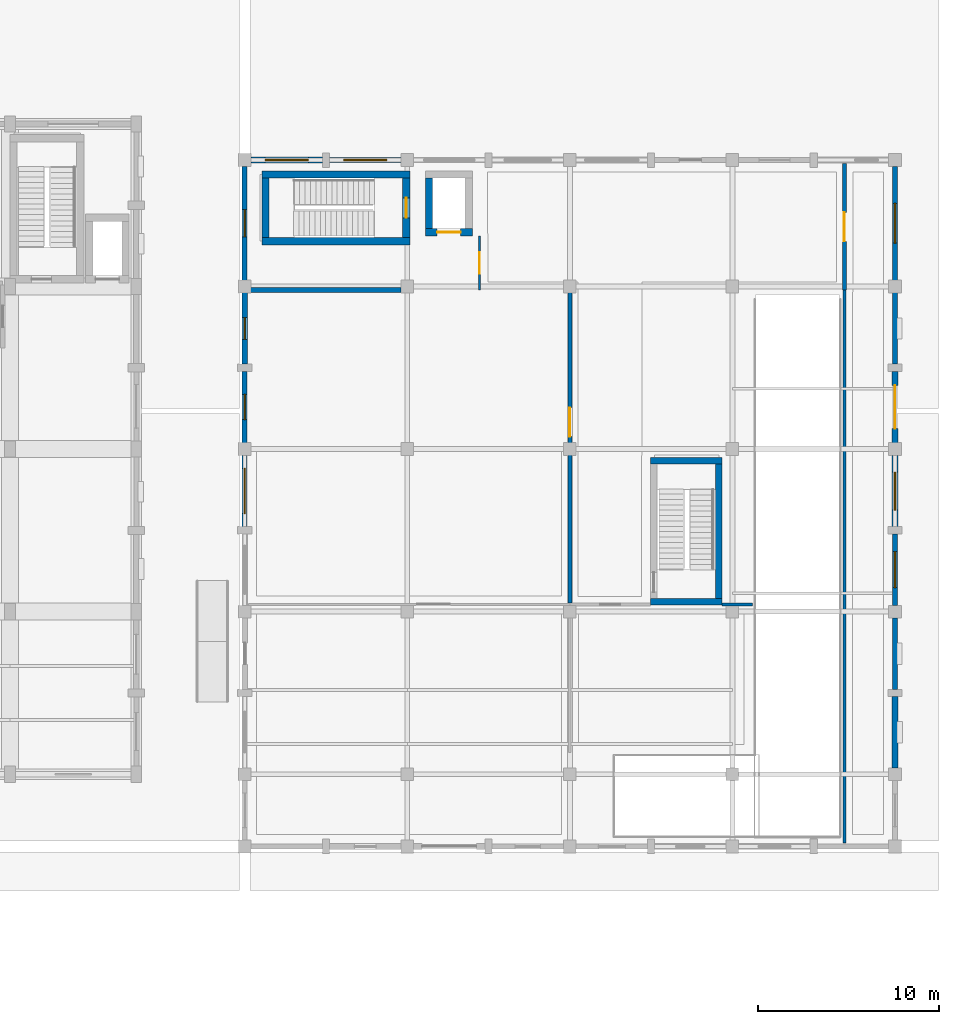
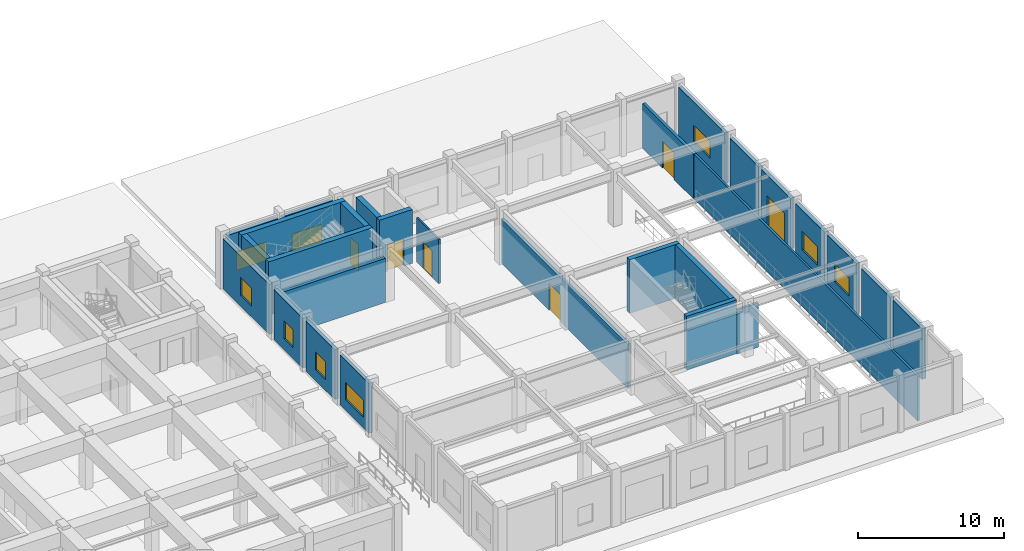
# One storey, part 39 of 47: 28 walls, 9 windows, 6 doors, 15 openings.
"""IFC4 building model written with IfcOpenShell, lengths in metres."""

import ifcopenshell
import ifcopenshell.guid

model = None  # the IFC model being written
_history = None  # IfcOwnerHistory: only IFC2X3 demands one
_inside = {}  # id of a spatial element -> (the spatial element, [elements in it])
_under = {}  # id of a project, library or spatial element -> (it, [spatial elements below it])
_declared = {}  # id of a project -> (the project, [libraries it declares])
_typed = {}  # id of a type object -> (the type object, [elements of that type])
_made_of = {}  # id of a material, layer set ... -> (it, [elements and type objects made of it])


def new_model(schema):
    """Start an empty IFC model of exactly this schema.

    Asked for "IFC4X3", IfcOpenShell would pick the latest addendum, in which some entities
    have other attributes; the version numbers below select the first issue.
    IFC2X3 requires an IfcOwnerHistory on every rooted entity: one is made here for all.
    """
    global model, _history
    if schema == "IFC4X3":
        model = ifcopenshell.file(schema_version=(4, 3, 0, 0))
    else:
        model = ifcopenshell.file(schema=schema)
    _inside.clear()
    _under.clear()
    _declared.clear()
    _typed.clear()
    _made_of.clear()
    _history = None
    if model.schema == "IFC2X3":
        org = make("IfcOrganization", Name="unknown")
        user = make(
            "IfcPersonAndOrganization",
            ThePerson=make("IfcPerson", FamilyName="unknown"),
            TheOrganization=org,
        )
        app = make(
            "IfcApplication",
            ApplicationDeveloper=org,
            Version="unknown",
            ApplicationFullName="unknown",
            ApplicationIdentifier="unknown",
        )
        _history = make(
            "IfcOwnerHistory",
            OwningUser=user,
            OwningApplication=app,
            ChangeAction="ADDED",
            CreationDate=0,
        )
    return model


def make(cls, **values):
    """One entity of the class cls with the attributes given. An attribute that is None is left unset."""
    return model.create_entity(
        cls, **{name: value for name, value in values.items() if value is not None}
    )


def rooted(cls, **values):
    """An entity with a GlobalId (a new one), such as an element, a storey or a relation."""
    return make(cls, GlobalId=ifcopenshell.guid.new(), OwnerHistory=_history, **values)


def si_unit(unit_type, name, prefix=None):
    """IfcSIUnit, for example si_unit("LENGTHUNIT", "METRE", prefix="MILLI")."""
    return make("IfcSIUnit", UnitType=unit_type, Prefix=prefix, Name=name)


def assignment(units):
    """IfcUnitAssignment: the units of a project."""
    return None if units is None else make("IfcUnitAssignment", Units=units)


def point(xyz):
    """IfcCartesianPoint."""
    return None if xyz is None else make("IfcCartesianPoint", Coordinates=xyz)


def direction(xyz):
    """IfcDirection."""
    return None if xyz is None else make("IfcDirection", DirectionRatios=xyz)


def frame(location, z_axis=None, x_axis=None):
    """IfcAxis2Placement3D, a coordinate frame: its origin and axes. An axis left out is left unset."""
    return make(
        "IfcAxis2Placement3D",
        Location=point(location),
        Axis=direction(z_axis),
        RefDirection=direction(x_axis),
    )


def frame_2d(location, x_axis=None):
    """IfcAxis2Placement2D, a coordinate frame in the plane: its origin and x axis."""
    return make(
        "IfcAxis2Placement2D", Location=point(location), RefDirection=direction(x_axis)
    )


def origin():
    """The frame at (0, 0, 0) with its axes left unset."""
    return frame((0.0, 0.0, 0.0))


def place(relative_to, where):
    """IfcLocalPlacement: puts the frame where relative to a parent placement (None: the world)."""
    return make(
        "IfcLocalPlacement", PlacementRelTo=relative_to, RelativePlacement=where
    )


def context(
    kind, dimensions, precision=None, world=None, true_north=None, identifier=None
):
    """IfcGeometricRepresentationContext, for example the 3D "Model" context."""
    return make(
        "IfcGeometricRepresentationContext",
        ContextIdentifier=identifier,
        ContextType=kind,
        CoordinateSpaceDimension=dimensions,
        Precision=precision,
        WorldCoordinateSystem=world,
        TrueNorth=true_north,
    )


def subcontext(parent, identifier, kind, view, scale=None):
    """IfcGeometricRepresentationSubContext, for example "Body" below "Model"."""
    return make(
        "IfcGeometricRepresentationSubContext",
        ContextIdentifier=identifier,
        ContextType=kind,
        ParentContext=parent,
        TargetScale=scale,
        TargetView=view,
    )


def project(units=None, contexts=None):
    """IfcProject with its units and contexts."""
    return rooted(
        "IfcProject",
        Name="project",
        RepresentationContexts=contexts,
        UnitsInContext=assignment(units),
    )


def spatial(cls, under=None, at=None, **own):
    """A site, building, storey or space (cls), placed at a placement, below another one or the project."""
    s = rooted(cls, ObjectPlacement=at, **own)
    if under is not None:
        _under.setdefault(under.id(), (under, []))[1].append(s)
    return s


def profile(cls, at=None, kind="AREA", **sizes):
    """A parametric profile (cls). Its sizes go by their IFC names, for example OverallWidth=200.0."""
    return make(cls, ProfileType=kind, Position=at, **sizes)


def rectangle(**sizes):
    """IfcRectangleProfileDef."""
    return profile("IfcRectangleProfileDef", **sizes)


def extrude(swept, where, along, depth):
    """IfcExtrudedAreaSolid: the profile swept, set in the frame where, extruded along a direction by depth."""
    return make(
        "IfcExtrudedAreaSolid",
        SweptArea=swept,
        Position=where,
        ExtrudedDirection=direction(along),
        Depth=depth,
    )


def shape(context_of_items, identifier, shape_type, items):
    """IfcShapeRepresentation: the items that make up one representation, for example the "Body"."""
    return make(
        "IfcShapeRepresentation",
        ContextOfItems=context_of_items,
        RepresentationIdentifier=identifier,
        RepresentationType=shape_type,
        Items=items,
    )


def material(Name=None, Category=None):
    """IfcMaterial."""
    return make("IfcMaterial", Name=Name, Category=Category)


def layer(
    of_material, thickness, ventilated=None, Name=None, Category=None, Priority=None
):
    """IfcMaterialLayer: one layer of a wall or slab, of a material (None: an air gap)."""
    return make(
        "IfcMaterialLayer",
        Material=of_material,
        LayerThickness=thickness,
        IsVentilated=ventilated,
        Name=Name,
        Category=Category,
        Priority=Priority,
    )


def layer_set(layers, Name=None):
    """IfcMaterialLayerSet."""
    return make("IfcMaterialLayerSet", MaterialLayers=layers, LayerSetName=Name)


def made_of(thing, what):
    """Note that an element or type object is made of a material, layer set ...; save() writes the relation."""
    if what is not None:
        _made_of.setdefault(what.id(), (what, []))[1].append(thing)
    return thing


def type_object(cls, material=None, **own):
    """A type object (cls), such as IfcWallType, which elements share."""
    return made_of(rooted(cls, **own), material)


def element(
    cls,
    number,
    at=None,
    inside=None,
    cuts=None,
    type_object=None,
    material=None,
    context=None,
    identifier="Body",
    shape_type=None,
    held_by="IfcProductDefinitionShape",
    body=None,
    shapes=None,
    **own,
):
    """One element of the class cls, such as IfcWall. Its Tag is "e" and its number.

    at: its placement. inside: the storey or other place that contains it. cuts: it is an
    opening in that element (IfcRelVoidsElement). A single representation is given by context,
    identifier, shape_type and body (its items); several are given by shapes. held_by: the class
    of the entity that holds the representations. save() writes the other relations.
    """
    e = rooted(cls, Tag="e%d" % number, ObjectPlacement=at, **own)
    if body is not None:
        shapes = [shape(context, identifier, shape_type, body)]
    if shapes is not None:
        e.Representation = make(held_by, Representations=shapes)
    if inside is not None:
        _inside.setdefault(inside.id(), (inside, []))[1].append(e)
    if cuts is not None:
        rooted(
            "IfcRelVoidsElement", RelatingBuildingElement=cuts, RelatedOpeningElement=e
        )
    if type_object is not None:
        _typed.setdefault(type_object.id(), (type_object, []))[1].append(e)
    return made_of(e, material)


def fill(opening, filler):
    """IfcRelFillsElement: the door or window that sits in an opening."""
    return rooted(
        "IfcRelFillsElement",
        RelatingOpeningElement=opening,
        RelatedBuildingElement=filler,
    )


def aggregate(whole, parts):
    """IfcRelAggregates: a whole, such as a stair, and the parts it consists of."""
    return rooted("IfcRelAggregates", RelatingObject=whole, RelatedObjects=parts)


def save(model, path):
    """Write the relations noted so far, then the file.

    IfcRelAggregates (storeys below a building ...), IfcRelContainedInSpatialStructure (elements
    in a storey), IfcRelDefinesByType, IfcRelAssociatesMaterial and IfcRelDeclares: one each for
    every whole, place, type object, material and project.
    """
    for whole, parts in _under.values():
        aggregate(whole, parts)
    for where, things in _inside.values():
        rooted(
            "IfcRelContainedInSpatialStructure",
            RelatedElements=things,
            RelatingStructure=where,
        )
    for kind, things in _typed.values():
        rooted("IfcRelDefinesByType", RelatedObjects=things, RelatingType=kind)
    for what, things in _made_of.values():
        rooted("IfcRelAssociatesMaterial", RelatedObjects=things, RelatingMaterial=what)
    for by, libraries in _declared.values():
        rooted("IfcRelDeclares", RelatingContext=by, RelatedDefinitions=libraries)
    model.write(path)


model = new_model("IFC4")

# Units and contexts
model_context = context("Model", 3, precision=1e-05, world=origin(), true_north=direction((0.0, 1.0)))
body_context = subcontext(model_context, "Body", "Model", "MODEL_VIEW")
ifc_project = project(units=[si_unit("LENGTHUNIT", "METRE"), si_unit("AREAUNIT", "SQUARE_METRE"), si_unit("VOLUMEUNIT", "CUBIC_METRE"), si_unit("PLANEANGLEUNIT", "RADIAN"), si_unit("MASSUNIT", "GRAM", prefix="KILO")], contexts=[model_context])

# Site, building, storey
site_placement = place(None, origin())
site = spatial("IfcSite", under=ifc_project, at=site_placement, CompositionType="ELEMENT")
building_placement = place(site_placement, origin())
building = spatial("IfcBuilding", under=site, at=building_placement, Name="Ventoquebrada Cableway Terminal", CompositionType="ELEMENT")
storey_placement = place(building_placement, origin())
storey = spatial("IfcBuildingStorey", under=building, at=storey_placement, Name="L00", CompositionType="ELEMENT", Elevation=0.0)

# Wall
ifc_material_1 = material(Name="Concrete C40/50", Category="concrete")
ifc_layer_1 = layer(ifc_material_1, 0.39990234375)
ifc_layer_set_1 = layer_set([ifc_layer_1], Name="Concrete C40/50")
wall_type_1 = type_object("IfcWallType", Name="WL-CR1", PredefinedType="SHEAR", material=ifc_layer_set_1)
wall_1_placement = place(storey_placement, frame((129.949951171875, 97.5, 0.0), z_axis=(0.0, 0.0, 1.0), x_axis=(1.0, 0.0, 0.0)))
element("IfcWall", 1, at=wall_1_placement, inside=storey, type_object=wall_type_1, Name="Core shear wall IW-0161", PredefinedType="SHEAR", context=body_context, shape_type="SweptSolid", body=[
    extrude(rectangle(XDim=8.199951171875, YDim=0.39990234375, at=frame_2d((4.10009765625, 0.0))), origin(), (0.0, 0.0, 1.0), 4.489990234375),
])

# Wall, opening, door
wall_2_placement = place(storey_placement, frame((137.949951171875, 97.699951171875, 0.0), z_axis=(0.0, 0.0, 1.0), x_axis=(0.0, 1.0, 0.0)))
wall_2 = element("IfcWall", 2, at=wall_2_placement, inside=storey, type_object=wall_type_1, Name="Core shear wall IW-0162", PredefinedType="SHEAR", context=body_context, shape_type="SweptSolid", body=[
    extrude(rectangle(XDim=3.300048828125, YDim=0.39990234375, at=frame_2d((1.64990234375, 0.0))), origin(), (0.0, 0.0, 1.0), 4.489990234375),
])
opening_1_placement = place(wall_2_placement, frame((1.10009765625, 0.0, 0.0)))
opening_1 = element("IfcOpeningElement", 3, at=opening_1_placement, cuts=wall_2, Name="Opening D-020", PredefinedType="OPENING", context=body_context, shape_type="SweptSolid", body=[
    extrude(rectangle(XDim=1.10009765625, YDim=2.199951171875, at=frame_2d((0.550048828125, 1.10009765625))), frame((0.0, 0.2099609375, 0.0), z_axis=(0.0, -1.0, 0.0), x_axis=(1.0, 0.0, 0.0)), (0.0, 0.0, 1.0), 0.419921875),
])
ifc_material_2 = material(Name="Galvanized fire-rated steel door assembly", Category="steel")
door_type_1 = type_object("IfcDoorType", Name="DT-IN05", OperationType="SINGLE_SWING_LEFT", PredefinedType="DOOR", material=ifc_material_2)
door_1_placement = place(opening_1_placement, origin())
door_1 = element("IfcDoor", 4, at=door_1_placement, inside=storey, type_object=door_type_1, Name="Core K5-S stair fire door D-020", OperationType="SINGLE_SWING_LEFT", OverallHeight=2.199951171875, OverallWidth=1.10009765625, PredefinedType="DOOR", context=body_context, shape_type="SweptSolid", body=[
    extrude(rectangle(XDim=1.10009765625, YDim=2.199951171875, at=frame_2d((0.550048828125, 1.10009765625))), frame((0.0, 0.02490234375, 0.0), z_axis=(0.0, -1.0, 0.0), x_axis=(1.0, 0.0, 0.0)), (0.0, 0.0, 1.0), 0.050048828125),
])
fill(opening_1, door_1)

# Walls
wall_3_placement = place(storey_placement, frame((138.14990234375, 101.199951171875, 0.0), z_axis=(0.0, 0.0, 1.0), x_axis=(-1.0, 0.0, 0.0)))
element("IfcWall", 5, at=wall_3_placement, inside=storey, type_object=wall_type_1, Name="Core shear wall IW-0163", PredefinedType="SHEAR", context=body_context, shape_type="SweptSolid", body=[
    extrude(rectangle(XDim=8.199951171875, YDim=0.39990234375, at=frame_2d((4.10009765625, 0.0))), origin(), (0.0, 0.0, 1.0), 4.489990234375),
])
wall_4_placement = place(storey_placement, frame((130.14990234375, 101.0, 0.0), z_axis=(0.0, 0.0, 1.0), x_axis=(0.0, -1.0, 0.0)))
element("IfcWall", 6, at=wall_4_placement, inside=storey, type_object=wall_type_1, Name="Core shear wall IW-0164", PredefinedType="SHEAR", context=body_context, shape_type="SweptSolid", body=[
    extrude(rectangle(XDim=3.300048828125, YDim=0.39990234375, at=frame_2d((1.64990234375, 0.0))), origin(), (0.0, 0.0, 1.0), 4.489990234375),
])

# Wall, opening, door
wall_5_placement = place(storey_placement, frame((139.0, 98.0, 0.0), z_axis=(0.0, 0.0, 1.0), x_axis=(1.0, 0.0, 0.0)))
wall_5 = element("IfcWall", 7, at=wall_5_placement, inside=storey, type_object=wall_type_1, Name="Core shear wall IW-0165", PredefinedType="SHEAR", context=body_context, shape_type="SweptSolid", body=[
    extrude(rectangle(XDim=2.60009765625, YDim=0.39990234375, at=frame_2d((1.300048828125, 0.0))), origin(), (0.0, 0.0, 1.0), 4.489990234375),
])
opening_2_placement = place(wall_5_placement, frame((0.64990234375, 0.0, 0.0)))
opening_2 = element("IfcOpeningElement", 8, at=opening_2_placement, cuts=wall_5, Name="Opening LD-020", PredefinedType="OPENING", context=body_context, shape_type="SweptSolid", body=[
    extrude(rectangle(XDim=1.300048828125, YDim=2.25, at=frame_2d((0.64990234375, 1.125))), frame((0.0, 0.2099609375, 0.0), z_axis=(0.0, -1.0, 0.0), x_axis=(1.0, 0.0, 0.0)), (0.0, 0.0, 1.0), 0.419921875),
])
ifc_material_3 = material(Name="Brushed stainless steel Grade 316", Category="steel")
door_type_2 = type_object("IfcDoorType", Name="DT-LD02", OperationType="SLIDING_TO_RIGHT", PredefinedType="DOOR", material=ifc_material_3)
door_2_placement = place(opening_2_placement, origin())
door_2 = element("IfcDoor", 9, at=door_2_placement, inside=storey, type_object=door_type_2, Name="Lift landing sliding door LD-020", OperationType="SLIDING_TO_LEFT", OverallHeight=2.25, OverallWidth=1.300048828125, PredefinedType="DOOR", context=body_context, shape_type="SweptSolid", body=[
    extrude(rectangle(XDim=1.300048828125, YDim=2.25, at=frame_2d((0.64990234375, 1.125))), frame((0.0, 0.02490234375, 0.0), z_axis=(0.0, -1.0, 0.0), x_axis=(1.0, 0.0, 0.0)), (0.0, 0.0, 1.0), 0.050048828125),
])
fill(opening_2, door_2)

# Walls
wall_6_placement = place(storey_placement, frame((139.199951171875, 101.0, 0.0), z_axis=(0.0, 0.0, 1.0), x_axis=(0.0, -1.0, 0.0)))
element("IfcWall", 10, at=wall_6_placement, inside=storey, type_object=wall_type_1, Name="Core shear wall IW-0168", PredefinedType="SHEAR", context=body_context, shape_type="SweptSolid", body=[
    extrude(rectangle(XDim=2.800048828125, YDim=0.39990234375, at=frame_2d((1.39990234375, 0.0))), origin(), (0.0, 0.0, 1.0), 4.489990234375),
])
ifc_material_4 = material(Name="Precast architectural concrete C40/50", Category="concrete")
ifc_layer_2 = layer(ifc_material_4, 0.280029296875)
ifc_layer_set_2 = layer_set([ifc_layer_2], Name="Precast architectural concrete C40/50")
wall_type_2 = type_object("IfcWallType", Name="WL-EX1", PredefinedType="SOLIDWALL", material=ifc_layer_set_2)
wall_7_placement = place(storey_placement, frame((165.0, 72.695068359375, 0.0), z_axis=(0.0, 0.0, 1.0), x_axis=(0.0, 1.0, 0.0)))
element("IfcWall", 11, at=wall_7_placement, inside=storey, type_object=wall_type_2, Name="Exterior architectural wall EW-0239", PredefinedType="SOLIDWALL", context=body_context, shape_type="SweptSolid", body=[
    extrude(rectangle(XDim=3.9599609375, YDim=0.280029296875, at=frame_2d((1.97998046875, 0.0))), origin(), (0.0, 0.0, 1.0), 4.22509765625),
])

# Wall, opening, window
wall_8_placement = place(storey_placement, frame((165.0, 77.344970703125, 0.0), z_axis=(0.0, 0.0, 1.0), x_axis=(0.0, 1.0, 0.0)))
wall_8 = element("IfcWall", 12, at=wall_8_placement, inside=storey, type_object=wall_type_2, Name="Exterior architectural wall EW-0240", PredefinedType="SOLIDWALL", context=body_context, shape_type="SweptSolid", body=[
    extrude(rectangle(XDim=3.9599609375, YDim=0.280029296875, at=frame_2d((1.97998046875, 0.0))), origin(), (0.0, 0.0, 1.0), 4.22509765625),
])
opening_3_placement = place(wall_8_placement, frame((0.97998046875, 0.0, 0.89990234375)))
opening_3 = element("IfcOpeningElement", 13, at=opening_3_placement, cuts=wall_8, Name="Opening WN-127", PredefinedType="OPENING", context=body_context, shape_type="SweptSolid", body=[
    extrude(rectangle(XDim=2.0, YDim=1.5, at=frame_2d((1.0, 0.75))), frame((0.0, 0.14990234375, 0.0), z_axis=(0.0, -1.0, 0.0), x_axis=(1.0, 0.0, 0.0)), (0.0, 0.0, 1.0), 0.300048828125),
])
ifc_material_5 = material(Name="Double low-e laminated safety glazing", Category="glass")
window_type_1 = type_object("IfcWindowType", Name="WT-07", PartitioningType="SINGLE_PANEL", PredefinedType="WINDOW", material=ifc_material_5)
window_1_placement = place(opening_3_placement, origin())
window_1 = element("IfcWindow", 14, at=window_1_placement, inside=storey, type_object=window_type_1, Name="Architectural punched window WN-127", OverallHeight=1.5, OverallWidth=2.0, PartitioningType="SINGLE_PANEL", PredefinedType="WINDOW", context=body_context, shape_type="SweptSolid", body=[
    extrude(rectangle(XDim=2.0, YDim=1.5, at=frame_2d((1.0, 0.75))), frame((0.0, 0.030029296875, 0.0), z_axis=(0.0, -1.0, 0.0), x_axis=(1.0, 0.0, 0.0)), (0.0, 0.0, 1.0), 0.06005859375),
])
fill(opening_3, window_1)

# Wall
wall_9_placement = place(storey_placement, frame((165.0, 90.695068359375, 0.0), z_axis=(0.0, 0.0, 1.0), x_axis=(0.0, 1.0, 0.0)))
element("IfcWall", 15, at=wall_9_placement, inside=storey, type_object=wall_type_2, Name="Exterior architectural wall EW-0243", PredefinedType="SOLIDWALL", context=body_context, shape_type="SweptSolid", body=[
    extrude(rectangle(XDim=3.9599609375, YDim=0.280029296875, at=frame_2d((1.97998046875, 0.0))), origin(), (0.0, 0.0, 1.0), 4.22509765625),
])

# Wall, opening, window
wall_10_placement = place(storey_placement, frame((165.0, 95.344970703125, 0.0), z_axis=(0.0, 0.0, 1.0), x_axis=(0.0, 1.0, 0.0)))
wall_10 = element("IfcWall", 16, at=wall_10_placement, inside=storey, type_object=wall_type_2, Name="Exterior architectural wall EW-0244", PredefinedType="SOLIDWALL", context=body_context, shape_type="SweptSolid", body=[
    extrude(rectangle(XDim=6.31005859375, YDim=0.280029296875, at=frame_2d((3.155029296875, 0.0))), origin(), (0.0, 0.0, 1.0), 4.22509765625),
])
opening_4_placement = place(wall_10_placement, frame((2.054931640625, 0.0, 0.89990234375)))
opening_4 = element("IfcOpeningElement", 17, at=opening_4_placement, cuts=wall_10, Name="Opening WN-129", PredefinedType="OPENING", context=body_context, shape_type="SweptSolid", body=[
    extrude(rectangle(XDim=2.199951171875, YDim=1.39990234375, at=frame_2d((1.10009765625, 0.699951171875))), frame((0.0, 0.14990234375, 0.0), z_axis=(0.0, -1.0, 0.0), x_axis=(1.0, 0.0, 0.0)), (0.0, 0.0, 1.0), 0.300048828125),
])
window_type_2 = type_object("IfcWindowType", Name="WT-09", PartitioningType="SINGLE_PANEL", PredefinedType="WINDOW", material=ifc_material_5)
window_2_placement = place(opening_4_placement, origin())
window_2 = element("IfcWindow", 18, at=window_2_placement, inside=storey, type_object=window_type_2, Name="Architectural punched window WN-129", OverallHeight=1.39990234375, OverallWidth=2.199951171875, PartitioningType="SINGLE_PANEL", PredefinedType="WINDOW", context=body_context, shape_type="SweptSolid", body=[
    extrude(rectangle(XDim=2.199951171875, YDim=1.39990234375, at=frame_2d((1.10009765625, 0.699951171875))), frame((0.0, 0.030029296875, 0.0), z_axis=(0.0, -1.0, 0.0), x_axis=(1.0, 0.0, 0.0)), (0.0, 0.0, 1.0), 0.06005859375),
])
fill(opening_4, window_2)

wall_11_placement = place(storey_placement, frame((137.655029296875, 102.0, 0.0), z_axis=(0.0, 0.0, 1.0), x_axis=(-1.0, 0.0, 0.0)))
wall_11 = element("IfcWall", 19, at=wall_11_placement, inside=storey, type_object=wall_type_2, Name="Exterior architectural wall EW-0245", PredefinedType="SOLIDWALL", context=body_context, shape_type="SweptSolid", body=[
    extrude(rectangle(XDim=3.9599609375, YDim=0.280029296875, at=frame_2d((1.97998046875, 0.0))), origin(), (0.0, 0.0, 1.0), 4.169921875),
])
opening_5_placement = place(wall_11_placement, frame((0.780029296875, 0.0, 0.89990234375)))
opening_5 = element("IfcOpeningElement", 20, at=opening_5_placement, cuts=wall_11, Name="Opening WN-130", PredefinedType="OPENING", context=body_context, shape_type="SweptSolid", body=[
    extrude(rectangle(XDim=2.39990234375, YDim=1.5, at=frame_2d((1.199951171875, 0.75))), frame((0.0, 0.14990234375, 0.0), z_axis=(0.0, -1.0, 0.0), x_axis=(1.0, 0.0, 0.0)), (0.0, 0.0, 1.0), 0.300048828125),
])
window_type_3 = type_object("IfcWindowType", Name="WT-10", PartitioningType="SINGLE_PANEL", PredefinedType="WINDOW", material=ifc_material_5)
window_3_placement = place(opening_5_placement, origin())
window_3 = element("IfcWindow", 21, at=window_3_placement, inside=storey, type_object=window_type_3, Name="Architectural punched window WN-130", OverallHeight=1.5, OverallWidth=2.39990234375, PartitioningType="SINGLE_PANEL", PredefinedType="WINDOW", context=body_context, shape_type="SweptSolid", body=[
    extrude(rectangle(XDim=2.39990234375, YDim=1.5, at=frame_2d((1.199951171875, 0.75))), frame((0.0, 0.030029296875, 0.0), z_axis=(0.0, -1.0, 0.0), x_axis=(1.0, 0.0, 0.0)), (0.0, 0.0, 1.0), 0.06005859375),
])
fill(opening_5, window_3)

wall_12_placement = place(storey_placement, frame((129.0, 85.655029296875, 0.0), z_axis=(0.0, 0.0, 1.0), x_axis=(0.0, -1.0, 0.0)))
wall_12 = element("IfcWall", 22, at=wall_12_placement, inside=storey, type_object=wall_type_2, Name="Exterior architectural wall EW-0256", PredefinedType="SOLIDWALL", context=body_context, shape_type="SweptSolid", body=[
    extrude(rectangle(XDim=3.9599609375, YDim=0.280029296875, at=frame_2d((1.97998046875, 0.0))), origin(), (0.0, 0.0, 1.0), 4.169921875),
])
opening_6_placement = place(wall_12_placement, frame((0.72998046875, 0.0, 0.89990234375)))
opening_6 = element("IfcOpeningElement", 23, at=opening_6_placement, cuts=wall_12, Name="Opening WN-139", PredefinedType="OPENING", context=body_context, shape_type="SweptSolid", body=[
    extrude(rectangle(XDim=2.5, YDim=1.449951171875, at=frame_2d((1.25, 0.72509765625))), frame((0.0, 0.14990234375, 0.0), z_axis=(0.0, -1.0, 0.0), x_axis=(1.0, 0.0, 0.0)), (0.0, 0.0, 1.0), 0.300048828125),
])
window_type_4 = type_object("IfcWindowType", Name="WT-19", PartitioningType="SINGLE_PANEL", PredefinedType="WINDOW", material=ifc_material_5)
window_4_placement = place(opening_6_placement, origin())
window_4 = element("IfcWindow", 24, at=window_4_placement, inside=storey, type_object=window_type_4, Name="Architectural punched window WN-139", OverallHeight=1.449951171875, OverallWidth=2.5, PartitioningType="SINGLE_PANEL", PredefinedType="WINDOW", context=body_context, shape_type="SweptSolid", body=[
    extrude(rectangle(XDim=2.5, YDim=1.449951171875, at=frame_2d((1.25, 0.72509765625))), frame((0.0, 0.030029296875, 0.0), z_axis=(0.0, -1.0, 0.0), x_axis=(1.0, 0.0, 0.0)), (0.0, 0.0, 1.0), 0.06005859375),
])
fill(opening_6, window_4)

wall_13_placement = place(storey_placement, frame((129.0, 90.304931640625, 0.0), z_axis=(0.0, 0.0, 1.0), x_axis=(0.0, -1.0, 0.0)))
wall_13 = element("IfcWall", 25, at=wall_13_placement, inside=storey, type_object=wall_type_2, Name="Exterior architectural wall EW-0259", PredefinedType="SOLIDWALL", context=body_context, shape_type="SweptSolid", body=[
    extrude(rectangle(XDim=3.9599609375, YDim=0.280029296875, at=frame_2d((1.97998046875, 0.0))), origin(), (0.0, 0.0, 1.0), 4.169921875),
])
opening_7_placement = place(wall_13_placement, frame((1.280029296875, 0.0, 0.89990234375)))
opening_7 = element("IfcOpeningElement", 26, at=opening_7_placement, cuts=wall_13, Name="Opening WN-142", PredefinedType="OPENING", context=body_context, shape_type="SweptSolid", body=[
    extrude(rectangle(XDim=1.39990234375, YDim=1.5, at=frame_2d((0.699951171875, 0.75))), frame((0.0, 0.14990234375, 0.0), z_axis=(0.0, -1.0, 0.0), x_axis=(1.0, 0.0, 0.0)), (0.0, 0.0, 1.0), 0.300048828125),
])
window_type_5 = type_object("IfcWindowType", Name="WT-02", PartitioningType="SINGLE_PANEL", PredefinedType="WINDOW", material=ifc_material_5)
window_5_placement = place(opening_7_placement, origin())
window_5 = element("IfcWindow", 27, at=window_5_placement, inside=storey, type_object=window_type_5, Name="Architectural punched window WN-142", OverallHeight=1.5, OverallWidth=1.39990234375, PartitioningType="SINGLE_PANEL", PredefinedType="WINDOW", context=body_context, shape_type="SweptSolid", body=[
    extrude(rectangle(XDim=1.39990234375, YDim=1.5, at=frame_2d((0.699951171875, 0.75))), frame((0.0, 0.030029296875, 0.0), z_axis=(0.0, -1.0, 0.0), x_axis=(1.0, 0.0, 0.0)), (0.0, 0.0, 1.0), 0.06005859375),
])
fill(opening_7, window_5)

wall_14_placement = place(storey_placement, frame((129.0, 101.655029296875, 0.0), z_axis=(0.0, 0.0, 1.0), x_axis=(0.0, -1.0, 0.0)))
wall_14 = element("IfcWall", 28, at=wall_14_placement, inside=storey, type_object=wall_type_2, Name="Exterior architectural wall EW-0260", PredefinedType="SOLIDWALL", context=body_context, shape_type="SweptSolid", body=[
    extrude(rectangle(XDim=6.31005859375, YDim=0.280029296875, at=frame_2d((3.155029296875, 0.0))), origin(), (0.0, 0.0, 1.0), 4.169921875),
])
opening_8_placement = place(wall_14_placement, frame((2.405029296875, 0.0, 0.89990234375)))
opening_8 = element("IfcOpeningElement", 29, at=opening_8_placement, cuts=wall_14, Name="Opening WN-143", PredefinedType="OPENING", context=body_context, shape_type="SweptSolid", body=[
    extrude(rectangle(XDim=1.5, YDim=1.5, at=frame_2d((0.75, 0.75))), frame((0.0, 0.14990234375, 0.0), z_axis=(0.0, -1.0, 0.0), x_axis=(1.0, 0.0, 0.0)), (0.0, 0.0, 1.0), 0.300048828125),
])
window_type_6 = type_object("IfcWindowType", Name="WT-03", PartitioningType="SINGLE_PANEL", PredefinedType="WINDOW", material=ifc_material_5)
window_6_placement = place(opening_8_placement, origin())
window_6 = element("IfcWindow", 30, at=window_6_placement, inside=storey, type_object=window_type_6, Name="Architectural punched window WN-143", OverallHeight=1.5, OverallWidth=1.5, PartitioningType="SINGLE_PANEL", PredefinedType="WINDOW", context=body_context, shape_type="SweptSolid", body=[
    extrude(rectangle(XDim=1.5, YDim=1.5, at=frame_2d((0.75, 0.75))), frame((0.0, 0.030029296875, 0.0), z_axis=(0.0, -1.0, 0.0), x_axis=(1.0, 0.0, 0.0)), (0.0, 0.0, 1.0), 0.06005859375),
])
fill(opening_8, window_6)

# Wall
ifc_layer_3 = layer(ifc_material_4, 0.320068359375)
ifc_layer_set_3 = layer_set([ifc_layer_3], Name="Precast architectural concrete C40/50")
wall_type_3 = type_object("IfcWallType", Name="WL-EX2", PredefinedType="SOLIDWALL", material=ifc_layer_set_3)
wall_15_placement = place(storey_placement, frame((165.0, 68.344970703125, 0.0), z_axis=(0.0, 0.0, 1.0), x_axis=(0.0, 1.0, 0.0)))
element("IfcWall", 31, at=wall_15_placement, inside=storey, type_object=wall_type_3, Name="Exterior architectural wall EW-0238", PredefinedType="SOLIDWALL", context=body_context, shape_type="SweptSolid", body=[
    extrude(rectangle(XDim=3.9599609375, YDim=0.320068359375, at=frame_2d((1.97998046875, 0.0))), origin(), (0.0, 0.0, 1.0), 4.22509765625),
])

# Wall, opening, window
wall_16_placement = place(storey_placement, frame((165.0, 81.695068359375, 0.0), z_axis=(0.0, 0.0, 1.0), x_axis=(0.0, 1.0, 0.0)))
wall_16 = element("IfcWall", 32, at=wall_16_placement, inside=storey, type_object=wall_type_3, Name="Exterior architectural wall EW-0241", PredefinedType="SOLIDWALL", context=body_context, shape_type="SweptSolid", body=[
    extrude(rectangle(XDim=3.9599609375, YDim=0.320068359375, at=frame_2d((1.97998046875, 0.0))), origin(), (0.0, 0.0, 1.0), 4.22509765625),
])
opening_9_placement = place(wall_16_placement, frame((0.929931640625, 0.0, 0.89990234375)))
opening_9 = element("IfcOpeningElement", 33, at=opening_9_placement, cuts=wall_16, Name="Opening WN-128", PredefinedType="OPENING", context=body_context, shape_type="SweptSolid", body=[
    extrude(rectangle(XDim=2.10009765625, YDim=1.550048828125, at=frame_2d((1.050048828125, 0.77490234375))), frame((0.0, 0.169921875, 0.0), z_axis=(0.0, -1.0, 0.0), x_axis=(1.0, 0.0, 0.0)), (0.0, 0.0, 1.0), 0.340087890625),
])
window_type_7 = type_object("IfcWindowType", Name="WT-08", PartitioningType="SINGLE_PANEL", PredefinedType="WINDOW", material=ifc_material_5)
window_7_placement = place(opening_9_placement, origin())
window_7 = element("IfcWindow", 34, at=window_7_placement, inside=storey, type_object=window_type_7, Name="Architectural punched window WN-128", OverallHeight=1.550048828125, OverallWidth=2.10009765625, PartitioningType="SINGLE_PANEL", PredefinedType="WINDOW", context=body_context, shape_type="SweptSolid", body=[
    extrude(rectangle(XDim=2.10009765625, YDim=1.550048828125, at=frame_2d((1.050048828125, 0.77490234375))), frame((0.0, 0.030029296875, 0.0), z_axis=(0.0, -1.0, 0.0), x_axis=(1.0, 0.0, 0.0)), (0.0, 0.0, 1.0), 0.06005859375),
])
fill(opening_9, window_7)

# Wall, opening, door
wall_17_placement = place(storey_placement, frame((165.0, 86.344970703125, 0.0), z_axis=(0.0, 0.0, 1.0), x_axis=(0.0, 1.0, 0.0)))
wall_17 = element("IfcWall", 35, at=wall_17_placement, inside=storey, type_object=wall_type_3, Name="Exterior architectural wall EW-0242", PredefinedType="SOLIDWALL", context=body_context, shape_type="SweptSolid", body=[
    extrude(rectangle(XDim=3.9599609375, YDim=0.320068359375, at=frame_2d((1.97998046875, 0.0))), origin(), (0.0, 0.0, 1.0), 4.22509765625),
])
opening_10_placement = place(wall_17_placement, frame((0.780029296875, 0.0, 0.0)))
opening_10 = element("IfcOpeningElement", 36, at=opening_10_placement, cuts=wall_17, Name="Opening D-BK-18", PredefinedType="OPENING", context=body_context, shape_type="SweptSolid", body=[
    extrude(rectangle(XDim=2.39990234375, YDim=2.5, at=frame_2d((1.199951171875, 1.25))), frame((0.0, 0.169921875, 0.0), z_axis=(0.0, -1.0, 0.0), x_axis=(1.0, 0.0, 0.0)), (0.0, 0.0, 1.0), 0.340087890625),
])
ifc_material_6 = material(Name="Galvanized acoustic steel door assembly", Category="steel")
door_type_3 = type_object("IfcDoorType", Name="DT-EX02", OperationType="DOUBLE_SWING_RIGHT", PredefinedType="DOOR", material=ifc_material_6)
door_3_placement = place(opening_10_placement, origin())
door_3 = element("IfcDoor", 37, at=door_3_placement, inside=storey, type_object=door_type_3, Name="Exterior d-bk door D-BK-18", OperationType="DOUBLE_SWING_LEFT", OverallHeight=2.5, OverallWidth=2.39990234375, PredefinedType="DOOR", context=body_context, shape_type="SweptSolid", body=[
    extrude(rectangle(XDim=2.39990234375, YDim=2.5, at=frame_2d((1.199951171875, 1.25))), frame((0.0, 0.02490234375, 0.0), z_axis=(0.0, -1.0, 0.0), x_axis=(1.0, 0.0, 0.0)), (0.0, 0.0, 1.0), 0.050048828125),
])
fill(opening_10, door_3)

# Wall, opening, window
wall_18_placement = place(storey_placement, frame((133.304931640625, 102.0, 0.0), z_axis=(0.0, 0.0, 1.0), x_axis=(-1.0, 0.0, 0.0)))
wall_18 = element("IfcWall", 38, at=wall_18_placement, inside=storey, type_object=wall_type_3, Name="Exterior architectural wall EW-0246", PredefinedType="SOLIDWALL", context=body_context, shape_type="SweptSolid", body=[
    extrude(rectangle(XDim=3.9599609375, YDim=0.320068359375, at=frame_2d((1.97998046875, 0.0))), origin(), (0.0, 0.0, 1.0), 4.169921875),
])
opening_11_placement = place(wall_18_placement, frame((0.780029296875, 0.0, 0.89990234375)))
opening_11 = element("IfcOpeningElement", 39, at=opening_11_placement, cuts=wall_18, Name="Opening WN-131", PredefinedType="OPENING", context=body_context, shape_type="SweptSolid", body=[
    extrude(rectangle(XDim=2.39990234375, YDim=1.550048828125, at=frame_2d((1.199951171875, 0.77490234375))), frame((0.0, 0.169921875, 0.0), z_axis=(0.0, -1.0, 0.0), x_axis=(1.0, 0.0, 0.0)), (0.0, 0.0, 1.0), 0.340087890625),
])
window_type_8 = type_object("IfcWindowType", Name="WT-11", PartitioningType="SINGLE_PANEL", PredefinedType="WINDOW", material=ifc_material_5)
window_8_placement = place(opening_11_placement, origin())
window_8 = element("IfcWindow", 40, at=window_8_placement, inside=storey, type_object=window_type_8, Name="Architectural punched window WN-131", OverallHeight=1.550048828125, OverallWidth=2.39990234375, PartitioningType="SINGLE_PANEL", PredefinedType="WINDOW", context=body_context, shape_type="SweptSolid", body=[
    extrude(rectangle(XDim=2.39990234375, YDim=1.550048828125, at=frame_2d((1.199951171875, 0.77490234375))), frame((0.0, 0.030029296875, 0.0), z_axis=(0.0, -1.0, 0.0), x_axis=(1.0, 0.0, 0.0)), (0.0, 0.0, 1.0), 0.06005859375),
])
fill(opening_11, window_8)

wall_19_placement = place(storey_placement, frame((129.0, 94.655029296875, 0.0), z_axis=(0.0, 0.0, 1.0), x_axis=(0.0, -1.0, 0.0)))
wall_19 = element("IfcWall", 41, at=wall_19_placement, inside=storey, type_object=wall_type_3, Name="Exterior architectural wall EW-0258", PredefinedType="SOLIDWALL", context=body_context, shape_type="SweptSolid", body=[
    extrude(rectangle(XDim=3.9599609375, YDim=0.320068359375, at=frame_2d((1.97998046875, 0.0))), origin(), (0.0, 0.0, 1.0), 4.169921875),
])
opening_12_placement = place(wall_19_placement, frame((1.3798828125, 0.0, 0.89990234375)))
opening_12 = element("IfcOpeningElement", 42, at=opening_12_placement, cuts=wall_19, Name="Opening WN-141", PredefinedType="OPENING", context=body_context, shape_type="SweptSolid", body=[
    extrude(rectangle(XDim=1.199951171875, YDim=1.5, at=frame_2d((0.60009765625, 0.75))), frame((0.0, 0.169921875, 0.0), z_axis=(0.0, -1.0, 0.0), x_axis=(1.0, 0.0, 0.0)), (0.0, 0.0, 1.0), 0.340087890625),
])
window_type_9 = type_object("IfcWindowType", Name="WT-01", PartitioningType="SINGLE_PANEL", PredefinedType="WINDOW", material=ifc_material_5)
window_9_placement = place(opening_12_placement, origin())
window_9 = element("IfcWindow", 43, at=window_9_placement, inside=storey, type_object=window_type_9, Name="Architectural punched window WN-141", OverallHeight=1.5, OverallWidth=1.199951171875, PartitioningType="SINGLE_PANEL", PredefinedType="WINDOW", context=body_context, shape_type="SweptSolid", body=[
    extrude(rectangle(XDim=1.199951171875, YDim=1.5, at=frame_2d((0.60009765625, 0.75))), frame((0.0, 0.030029296875, 0.0), z_axis=(0.0, -1.0, 0.0), x_axis=(1.0, 0.0, 0.0)), (0.0, 0.0, 1.0), 0.06005859375),
])
fill(opening_12, window_9)

# Wall
ifc_material_7 = material(Name="Fire-rated gypsum partition board on steel framing", Category="steel")
ifc_layer_4 = layer(ifc_material_7, 0.179931640625)
ifc_layer_set_4 = layer_set([ifc_layer_4], Name="Fire-rated gypsum partition board on steel framing")
wall_type_4 = type_object("IfcWallType", Name="WL-PT3", PredefinedType="STANDARD", material=ifc_layer_set_4)
wall_20_placement = place(storey_placement, frame((155.425048828125, 77.39990234375, 0.0), z_axis=(0.0, 0.0, 1.0), x_axis=(1.0, 0.0, 0.0)))
element("IfcWall", 44, at=wall_20_placement, inside=storey, type_object=wall_type_4, Name="Interior partition IW-0344", PredefinedType="STANDARD", context=body_context, shape_type="SweptSolid", body=[
    extrude(rectangle(XDim=1.675048828125, YDim=0.179931640625, at=frame_2d((0.83740234375, 0.0))), origin(), (0.0, 0.0, 1.0), 3.697998046875),
])

# Wall, opening, door
ifc_material_8 = material(Name="Autoclaved aerated concrete blockwork", Category="masonry")
ifc_layer_5 = layer(ifc_material_8, 0.22998046875)
ifc_layer_set_5 = layer_set([ifc_layer_5], Name="Autoclaved aerated concrete blockwork")
wall_type_5 = type_object("IfcWallType", Name="WL-PT5", PredefinedType="PARTITIONING", material=ifc_layer_set_5)
wall_21_placement = place(storey_placement, frame((147.0, 77.488037109375, 0.0), z_axis=(0.0, 0.0, 1.0), x_axis=(0.0, 1.0, 0.0)))
wall_21 = element("IfcWall", 45, at=wall_21_placement, inside=storey, type_object=wall_type_5, Name="Interior partition IW-0345", PredefinedType="PARTITIONING", context=body_context, shape_type="SweptSolid", body=[
    extrude(rectangle(XDim=17.31201171875, YDim=0.22998046875, at=frame_2d((8.656005859375, 0.0))), origin(), (0.0, 0.0, 1.0), 3.697998046875),
])
opening_13_placement = place(wall_21_placement, frame((9.2060546875, 0.0, 0.0)))
opening_13 = element("IfcOpeningElement", 46, at=opening_13_placement, cuts=wall_21, Name="Opening D-082", PredefinedType="OPENING", context=body_context, shape_type="SweptSolid", body=[
    extrude(rectangle(XDim=1.60009765625, YDim=2.25, at=frame_2d((0.800048828125, 1.125))), frame((0.0, 0.125, 0.0), z_axis=(0.0, -1.0, 0.0), x_axis=(1.0, 0.0, 0.0)), (0.0, 0.0, 1.0), 0.25),
])
door_type_4 = type_object("IfcDoorType", Name="DT-IN07", OperationType="DOUBLE_SWING_LEFT", PredefinedType="DOOR", material=ifc_material_2)
door_4_placement = place(opening_13_placement, origin())
door_4 = element("IfcDoor", 47, at=door_4_placement, inside=storey, type_object=door_type_4, Name="Bogie Workshop Door D-082", OperationType="DOUBLE_SWING_LEFT", OverallHeight=2.25, OverallWidth=1.60009765625, PredefinedType="DOOR", context=body_context, shape_type="SweptSolid", body=[
    extrude(rectangle(XDim=1.60009765625, YDim=2.25, at=frame_2d((0.800048828125, 1.125))), frame((0.0, 0.02490234375, 0.0), z_axis=(0.0, -1.0, 0.0), x_axis=(1.0, 0.0, 0.0)), (0.0, 0.0, 1.0), 0.050048828125),
])
fill(opening_13, door_4)

# Wall
ifc_layer_6 = layer(ifc_material_8, 0.260009765625)
ifc_layer_set_6 = layer_set([ifc_layer_6], Name="Autoclaved aerated concrete blockwork")
wall_type_6 = type_object("IfcWallType", Name="WL-PT6", PredefinedType="PARTITIONING", material=ifc_layer_set_6)
wall_22_placement = place(storey_placement, frame((129.199951171875, 94.800048828125, 0.0), z_axis=(0.0, 0.0, 1.0), x_axis=(1.0, 0.0, 0.0)))
element("IfcWall", 48, at=wall_22_placement, inside=storey, type_object=wall_type_6, Name="Interior partition IW-0346", PredefinedType="PARTITIONING", context=body_context, shape_type="SweptSolid", body=[
    extrude(rectangle(XDim=8.449951171875, YDim=0.260009765625, at=frame_2d((4.22509765625, 0.0))), origin(), (0.0, 0.0, 1.0), 3.697998046875),
])

# Wall, opening, door
ifc_layer_7 = layer(ifc_material_7, 0.135009765625)
ifc_layer_set_7 = layer_set([ifc_layer_7], Name="Fire-rated gypsum partition board on steel framing")
wall_type_7 = type_object("IfcWallType", Name="WL-PT7", PredefinedType="PARTITIONING", material=ifc_layer_set_7)
wall_23_placement = place(storey_placement, frame((142.0, 94.800048828125, 0.0), z_axis=(0.0, 0.0, 1.0), x_axis=(0.0, 1.0, 0.0)))
wall_23 = element("IfcWall", 49, at=wall_23_placement, inside=storey, type_object=wall_type_7, Name="Interior partition IW-0347", PredefinedType="PARTITIONING", context=body_context, shape_type="SweptSolid", body=[
    extrude(rectangle(XDim=3.0, YDim=0.135009765625, at=frame_2d((1.5, 0.0))), origin(), (0.0, 0.0, 1.0), 3.697998046875),
])
opening_14_placement = place(wall_23_placement, frame((0.89990234375, 0.0, 0.0)))
opening_14 = element("IfcOpeningElement", 50, at=opening_14_placement, cuts=wall_23, Name="Opening D-083", PredefinedType="OPENING", context=body_context, shape_type="SweptSolid", body=[
    extrude(rectangle(XDim=1.199951171875, YDim=2.199951171875, at=frame_2d((0.60009765625, 1.10009765625))), frame((0.0, 0.077392578125, 0.0), z_axis=(0.0, -1.0, 0.0), x_axis=(1.0, 0.0, 0.0)), (0.0, 0.0, 1.0), 0.155029296875),
])
door_type_5 = type_object("IfcDoorType", Name="DT-IN06", OperationType="SINGLE_SWING_RIGHT", PredefinedType="DOOR", material=ifc_material_2)
door_5_placement = place(opening_14_placement, origin())
door_5 = element("IfcDoor", 51, at=door_5_placement, inside=storey, type_object=door_type_5, Name="K5 Ground Lobby Door D-083", OperationType="SINGLE_SWING_RIGHT", OverallHeight=2.199951171875, OverallWidth=1.199951171875, PredefinedType="DOOR", context=body_context, shape_type="SweptSolid", body=[
    extrude(rectangle(XDim=1.199951171875, YDim=2.199951171875, at=frame_2d((0.60009765625, 1.10009765625))), frame((0.0, 0.02490234375, 0.0), z_axis=(0.0, -1.0, 0.0), x_axis=(1.0, 0.0, 0.0)), (0.0, 0.0, 1.0), 0.050048828125),
])
fill(opening_14, door_5)

# Wall
ifc_layer_8 = layer(ifc_material_7, 0.1650390625)
ifc_layer_set_8 = layer_set([ifc_layer_8], Name="Fire-rated gypsum partition board on steel framing")
wall_type_8 = type_object("IfcWallType", Name="WL-PT8", PredefinedType="PARTITIONING", material=ifc_layer_set_8)
wall_24_placement = place(storey_placement, frame((162.199951171875, 64.199951171875, 0.0), z_axis=(0.0, 0.0, 1.0), x_axis=(0.0, 1.0, 0.0)))
element("IfcWall", 52, at=wall_24_placement, inside=storey, type_object=wall_type_8, Name="Interior partition IW-0348", PredefinedType="PARTITIONING", context=body_context, shape_type="SweptSolid", body=[
    extrude(rectangle(XDim=30.60009765625, YDim=0.1650390625, at=frame_2d((15.300048828125, 0.0))), origin(), (0.0, 0.0, 1.0), 3.7529296875),
])

# Wall, opening, door
ifc_layer_9 = layer(ifc_material_8, 0.215087890625)
ifc_layer_set_9 = layer_set([ifc_layer_9], Name="Autoclaved aerated concrete blockwork")
wall_type_9 = type_object("IfcWallType", Name="WL-PT9", PredefinedType="PARTITIONING", material=ifc_layer_set_9)
wall_25_placement = place(storey_placement, frame((162.199951171875, 94.800048828125, 0.0), z_axis=(0.0, 0.0, 1.0), x_axis=(0.0, 1.0, 0.0)))
wall_25 = element("IfcWall", 53, at=wall_25_placement, inside=storey, type_object=wall_type_9, Name="Interior partition IW-0349", PredefinedType="PARTITIONING", context=body_context, shape_type="SweptSolid", body=[
    extrude(rectangle(XDim=7.0, YDim=0.215087890625, at=frame_2d((3.5, 0.0))), origin(), (0.0, 0.0, 1.0), 3.7529296875),
])
opening_15_placement = place(wall_25_placement, frame((2.699951171875, 0.0, 0.0)))
opening_15 = element("IfcOpeningElement", 54, at=opening_15_placement, cuts=wall_25, Name="Opening D-084", PredefinedType="OPENING", context=body_context, shape_type="SweptSolid", body=[
    extrude(rectangle(XDim=1.60009765625, YDim=2.25, at=frame_2d((0.800048828125, 1.125))), frame((0.0, 0.117431640625, 0.0), z_axis=(0.0, -1.0, 0.0), x_axis=(1.0, 0.0, 0.0)), (0.0, 0.0, 1.0), 0.235107421875),
])
door_6_placement = place(opening_15_placement, origin())
door_6 = element("IfcDoor", 55, at=door_6_placement, inside=storey, type_object=door_type_4, Name="Bicycle Hub Corridor Door D-084", OperationType="DOUBLE_SWING_LEFT", OverallHeight=2.25, OverallWidth=1.60009765625, PredefinedType="DOOR", context=body_context, shape_type="SweptSolid", body=[
    extrude(rectangle(XDim=1.60009765625, YDim=2.25, at=frame_2d((0.800048828125, 1.125))), frame((0.0, 0.02490234375, 0.0), z_axis=(0.0, -1.0, 0.0), x_axis=(1.0, 0.0, 0.0)), (0.0, 0.0, 1.0), 0.050048828125),
])
fill(opening_15, door_6)

# Walls
ifc_layer_10 = layer(ifc_material_1, 0.35009765625)
ifc_layer_set_10 = layer_set([ifc_layer_10], Name="Concrete C40/50")
wall_type_10 = type_object("IfcWallType", Name="WL-SH1", PredefinedType="SHEAR", material=ifc_layer_set_10)
wall_26_placement = place(storey_placement, frame((151.47509765625, 77.550048828125, 0.0), z_axis=(0.0, 0.0, 1.0), x_axis=(1.0, 0.0, 0.0)))
element("IfcWall", 56, at=wall_26_placement, inside=storey, type_object=wall_type_10, Name="Core shear wall IW-0249", PredefinedType="SHEAR", context=body_context, shape_type="SweptSolid", body=[
    extrude(rectangle(XDim=3.949951171875, YDim=0.35009765625, at=frame_2d((1.97509765625, 0.0))), origin(), (0.0, 0.0, 1.0), 4.489990234375),
])
wall_27_placement = place(storey_placement, frame((155.25, 77.72509765625, 0.0), z_axis=(0.0, 0.0, 1.0), x_axis=(0.0, 1.0, 0.0)))
element("IfcWall", 57, at=wall_27_placement, inside=storey, type_object=wall_type_10, Name="Core shear wall IW-0250", PredefinedType="SHEAR", context=body_context, shape_type="SweptSolid", body=[
    extrude(rectangle(XDim=7.449951171875, YDim=0.35009765625, at=frame_2d((3.72509765625, 0.0))), origin(), (0.0, 0.0, 1.0), 4.489990234375),
])
wall_28_placement = place(storey_placement, frame((155.425048828125, 85.35009765625, 0.0), z_axis=(0.0, 0.0, 1.0), x_axis=(-1.0, 0.0, 0.0)))
element("IfcWall", 58, at=wall_28_placement, inside=storey, type_object=wall_type_10, Name="Core shear wall IW-0251", PredefinedType="SHEAR", context=body_context, shape_type="SweptSolid", body=[
    extrude(rectangle(XDim=3.949951171875, YDim=0.35009765625, at=frame_2d((1.97509765625, 0.0))), origin(), (0.0, 0.0, 1.0), 4.489990234375),
])

save(model, "model.ifc")
